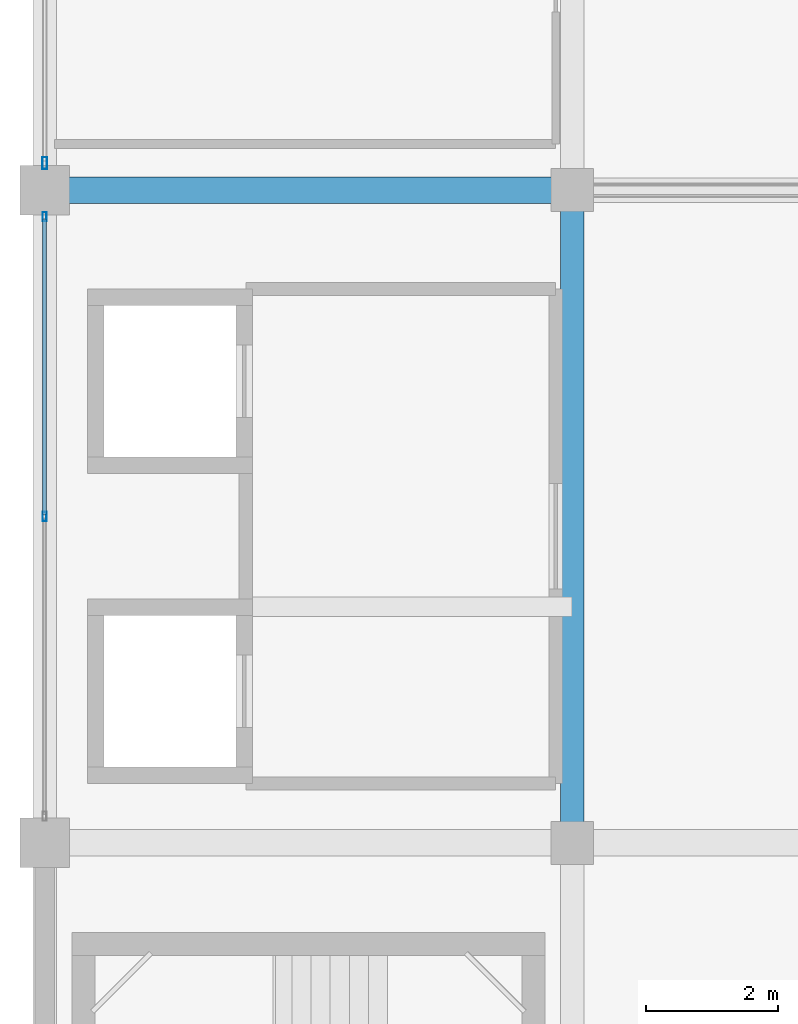
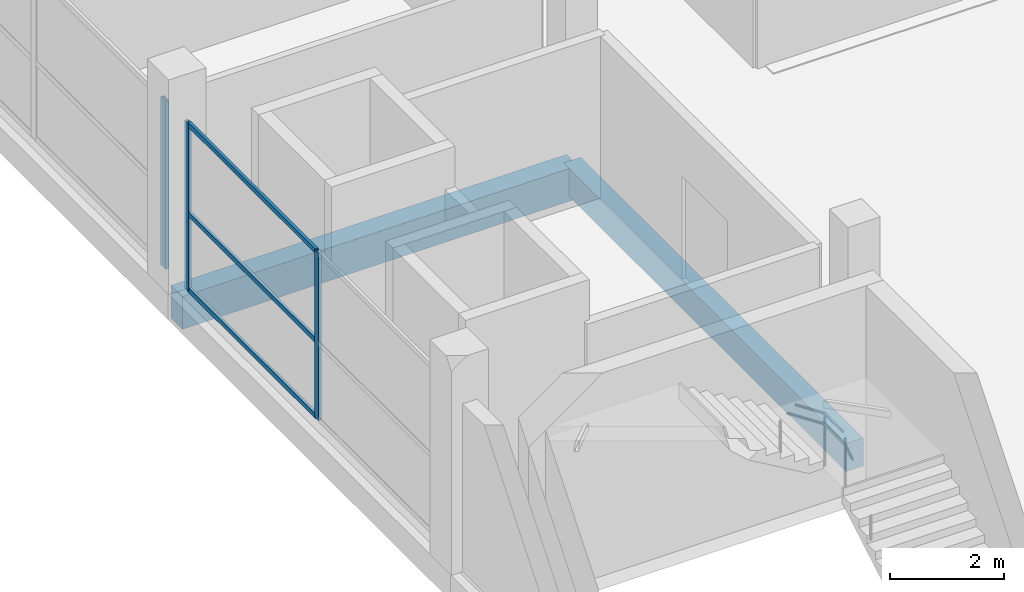
# One storey, part 8 of 69: 6 members, 2 beams, 2 elements without a shape of their own.
"""IFC4 building model written with IfcOpenShell, lengths in metres."""

import ifcopenshell
import ifcopenshell.guid

model = None  # the IFC model being written
_history = None  # IfcOwnerHistory: only IFC2X3 demands one
_inside = {}  # id of a spatial element -> (the spatial element, [elements in it])
_under = {}  # id of a project, library or spatial element -> (it, [spatial elements below it])
_declared = {}  # id of a project -> (the project, [libraries it declares])
_typed = {}  # id of a type object -> (the type object, [elements of that type])
_made_of = {}  # id of a material, layer set ... -> (it, [elements and type objects made of it])


def new_model(schema):
    """Start an empty IFC model of exactly this schema.

    Asked for "IFC4X3", IfcOpenShell would pick the latest addendum, in which some entities
    have other attributes; the version numbers below select the first issue.
    IFC2X3 requires an IfcOwnerHistory on every rooted entity: one is made here for all.
    """
    global model, _history
    if schema == "IFC4X3":
        model = ifcopenshell.file(schema_version=(4, 3, 0, 0))
    else:
        model = ifcopenshell.file(schema=schema)
    _inside.clear()
    _under.clear()
    _declared.clear()
    _typed.clear()
    _made_of.clear()
    _history = None
    if model.schema == "IFC2X3":
        org = make("IfcOrganization", Name="unknown")
        user = make(
            "IfcPersonAndOrganization",
            ThePerson=make("IfcPerson", FamilyName="unknown"),
            TheOrganization=org,
        )
        app = make(
            "IfcApplication",
            ApplicationDeveloper=org,
            Version="unknown",
            ApplicationFullName="unknown",
            ApplicationIdentifier="unknown",
        )
        _history = make(
            "IfcOwnerHistory",
            OwningUser=user,
            OwningApplication=app,
            ChangeAction="ADDED",
            CreationDate=0,
        )
    return model


def make(cls, **values):
    """One entity of the class cls with the attributes given. An attribute that is None is left unset."""
    return model.create_entity(
        cls, **{name: value for name, value in values.items() if value is not None}
    )


def rooted(cls, **values):
    """An entity with a GlobalId (a new one), such as an element, a storey or a relation."""
    return make(cls, GlobalId=ifcopenshell.guid.new(), OwnerHistory=_history, **values)


def si_unit(unit_type, name, prefix=None):
    """IfcSIUnit, for example si_unit("LENGTHUNIT", "METRE", prefix="MILLI")."""
    return make("IfcSIUnit", UnitType=unit_type, Prefix=prefix, Name=name)


def assignment(units):
    """IfcUnitAssignment: the units of a project."""
    return None if units is None else make("IfcUnitAssignment", Units=units)


def point(xyz):
    """IfcCartesianPoint."""
    return None if xyz is None else make("IfcCartesianPoint", Coordinates=xyz)


def direction(xyz):
    """IfcDirection."""
    return None if xyz is None else make("IfcDirection", DirectionRatios=xyz)


def frame(location, z_axis=None, x_axis=None):
    """IfcAxis2Placement3D, a coordinate frame: its origin and axes. An axis left out is left unset."""
    return make(
        "IfcAxis2Placement3D",
        Location=point(location),
        Axis=direction(z_axis),
        RefDirection=direction(x_axis),
    )


def frame_2d(location, x_axis=None):
    """IfcAxis2Placement2D, a coordinate frame in the plane: its origin and x axis."""
    return make(
        "IfcAxis2Placement2D", Location=point(location), RefDirection=direction(x_axis)
    )


def origin():
    """The frame at (0, 0, 0) with its axes left unset."""
    return frame((0.0, 0.0, 0.0))


def origin_2d():
    """The frame at (0, 0) in the plane with its x axis left unset."""
    return frame_2d((0.0, 0.0))


def place(relative_to, where):
    """IfcLocalPlacement: puts the frame where relative to a parent placement (None: the world)."""
    return make(
        "IfcLocalPlacement", PlacementRelTo=relative_to, RelativePlacement=where
    )


def context(
    kind, dimensions, precision=None, world=None, true_north=None, identifier=None
):
    """IfcGeometricRepresentationContext, for example the 3D "Model" context."""
    return make(
        "IfcGeometricRepresentationContext",
        ContextIdentifier=identifier,
        ContextType=kind,
        CoordinateSpaceDimension=dimensions,
        Precision=precision,
        WorldCoordinateSystem=world,
        TrueNorth=true_north,
    )


def subcontext(parent, identifier, kind, view, scale=None):
    """IfcGeometricRepresentationSubContext, for example "Body" below "Model"."""
    return make(
        "IfcGeometricRepresentationSubContext",
        ContextIdentifier=identifier,
        ContextType=kind,
        ParentContext=parent,
        TargetScale=scale,
        TargetView=view,
    )


def project(units=None, contexts=None):
    """IfcProject with its units and contexts."""
    return rooted(
        "IfcProject",
        Name="project",
        RepresentationContexts=contexts,
        UnitsInContext=assignment(units),
    )


def spatial(cls, under=None, at=None, **own):
    """A site, building, storey or space (cls), placed at a placement, below another one or the project."""
    s = rooted(cls, ObjectPlacement=at, **own)
    if under is not None:
        _under.setdefault(under.id(), (under, []))[1].append(s)
    return s


def profile(cls, at=None, kind="AREA", **sizes):
    """A parametric profile (cls). Its sizes go by their IFC names, for example OverallWidth=200.0."""
    return make(cls, ProfileType=kind, Position=at, **sizes)


def rectangle(**sizes):
    """IfcRectangleProfileDef."""
    return profile("IfcRectangleProfileDef", **sizes)


def hollow_rectangle(**sizes):
    """IfcRectangleHollowProfileDef."""
    return profile("IfcRectangleHollowProfileDef", **sizes)


def extrude(swept, where, along, depth):
    """IfcExtrudedAreaSolid: the profile swept, set in the frame where, extruded along a direction by depth."""
    return make(
        "IfcExtrudedAreaSolid",
        SweptArea=swept,
        Position=where,
        ExtrudedDirection=direction(along),
        Depth=depth,
    )


def shape(context_of_items, identifier, shape_type, items):
    """IfcShapeRepresentation: the items that make up one representation, for example the "Body"."""
    return make(
        "IfcShapeRepresentation",
        ContextOfItems=context_of_items,
        RepresentationIdentifier=identifier,
        RepresentationType=shape_type,
        Items=items,
    )


def material(Name=None, Category=None):
    """IfcMaterial."""
    return make("IfcMaterial", Name=Name, Category=Category)


def layer(
    of_material, thickness, ventilated=None, Name=None, Category=None, Priority=None
):
    """IfcMaterialLayer: one layer of a wall or slab, of a material (None: an air gap)."""
    return make(
        "IfcMaterialLayer",
        Material=of_material,
        LayerThickness=thickness,
        IsVentilated=ventilated,
        Name=Name,
        Category=Category,
        Priority=Priority,
    )


def layer_set(layers, Name=None):
    """IfcMaterialLayerSet."""
    return make("IfcMaterialLayerSet", MaterialLayers=layers, LayerSetName=Name)


def material_profile(
    of_material, cross_section, Name=None, Category=None, Priority=None
):
    """IfcMaterialProfile: a cross section and its material."""
    return make(
        "IfcMaterialProfile",
        Name=Name,
        Material=of_material,
        Profile=cross_section,
        Priority=Priority,
        Category=Category,
    )


def profile_set(profiles, Name=None, composite=None):
    """IfcMaterialProfileSet."""
    return make(
        "IfcMaterialProfileSet",
        Name=Name,
        MaterialProfiles=profiles,
        CompositeProfile=composite,
    )


def made_of(thing, what):
    """Note that an element or type object is made of a material, layer set ...; save() writes the relation."""
    if what is not None:
        _made_of.setdefault(what.id(), (what, []))[1].append(thing)
    return thing


def type_object(cls, material=None, **own):
    """A type object (cls), such as IfcWallType, which elements share."""
    return made_of(rooted(cls, **own), material)


def element(
    cls,
    number,
    at=None,
    inside=None,
    cuts=None,
    type_object=None,
    material=None,
    context=None,
    identifier="Body",
    shape_type=None,
    held_by="IfcProductDefinitionShape",
    body=None,
    shapes=None,
    **own,
):
    """One element of the class cls, such as IfcWall. Its Tag is "e" and its number.

    at: its placement. inside: the storey or other place that contains it. cuts: it is an
    opening in that element (IfcRelVoidsElement). A single representation is given by context,
    identifier, shape_type and body (its items); several are given by shapes. held_by: the class
    of the entity that holds the representations. save() writes the other relations.
    """
    e = rooted(cls, Tag="e%d" % number, ObjectPlacement=at, **own)
    if body is not None:
        shapes = [shape(context, identifier, shape_type, body)]
    if shapes is not None:
        e.Representation = make(held_by, Representations=shapes)
    if inside is not None:
        _inside.setdefault(inside.id(), (inside, []))[1].append(e)
    if cuts is not None:
        rooted(
            "IfcRelVoidsElement", RelatingBuildingElement=cuts, RelatedOpeningElement=e
        )
    if type_object is not None:
        _typed.setdefault(type_object.id(), (type_object, []))[1].append(e)
    return made_of(e, material)


def aggregate(whole, parts):
    """IfcRelAggregates: a whole, such as a stair, and the parts it consists of."""
    return rooted("IfcRelAggregates", RelatingObject=whole, RelatedObjects=parts)


def save(model, path):
    """Write the relations noted so far, then the file.

    IfcRelAggregates (storeys below a building ...), IfcRelContainedInSpatialStructure (elements
    in a storey), IfcRelDefinesByType, IfcRelAssociatesMaterial and IfcRelDeclares: one each for
    every whole, place, type object, material and project.
    """
    for whole, parts in _under.values():
        aggregate(whole, parts)
    for where, things in _inside.values():
        rooted(
            "IfcRelContainedInSpatialStructure",
            RelatedElements=things,
            RelatingStructure=where,
        )
    for kind, things in _typed.values():
        rooted("IfcRelDefinesByType", RelatedObjects=things, RelatingType=kind)
    for what, things in _made_of.values():
        rooted("IfcRelAssociatesMaterial", RelatedObjects=things, RelatingMaterial=what)
    for by, libraries in _declared.values():
        rooted("IfcRelDeclares", RelatingContext=by, RelatedDefinitions=libraries)
    model.write(path)


model = new_model("IFC4")

# Units and contexts
model_context = context("Model", 3, precision=1e-05, world=origin(), true_north=direction((0.0, 1.0)))
body_context = subcontext(model_context, "Body", "Model", "MODEL_VIEW")
ifc_project = project(units=[si_unit("LENGTHUNIT", "METRE"), si_unit("AREAUNIT", "SQUARE_METRE"), si_unit("VOLUMEUNIT", "CUBIC_METRE"), si_unit("PLANEANGLEUNIT", "RADIAN"), si_unit("MASSUNIT", "GRAM", prefix="KILO")], contexts=[model_context])

# Site, building, storey
site_placement = place(None, origin())
site = spatial("IfcSite", under=ifc_project, at=site_placement, CompositionType="ELEMENT")
building_placement = place(site_placement, origin())
building = spatial("IfcBuilding", under=site, at=building_placement, Name="Sillaruma Civic Art Gallery", CompositionType="ELEMENT")
storey_placement = place(building_placement, frame((0.0, 0.0, 42.330078125)))
storey = spatial("IfcBuildingStorey", under=building, at=storey_placement, Name="L08", CompositionType="ELEMENT", Elevation=42.330078125)

# Beams
ifc_material_1 = material(Name="Concrete H35 (35 MPa)", Category="concrete")
ifc_material_profile_1 = material_profile(ifc_material_1, rectangle(XDim=0.35009765625, YDim=0.60009765625, at=origin_2d()), Name="RCB350x600")
ifc_profile_set_1 = profile_set([ifc_material_profile_1], Name="Concrete H35 (35 MPa)")
beam_type_1 = type_object("IfcBeamType", Name="BM-BEAM-RCB350x600", PredefinedType="BEAM", material=ifc_profile_set_1)
beam_1_placement = place(storey_placement, frame((70.0, 39.60009765625, -0.580078125), z_axis=(0.0, 1.0, 0.0), x_axis=(-1.0, 0.0, 0.0)))
element("IfcBeam", 1, at=beam_1_placement, inside=storey, type_object=beam_type_1, Name="Beam BM-06 (L07:G:5-6)", PredefinedType="BEAM", context=body_context, shape_type="SweptSolid", body=[
    extrude(rectangle(XDim=0.35009765625, YDim=0.60009765625, at=origin_2d()), origin(), (0.0, 0.0, 1.0), 9.89990234375),
])
ifc_material_profile_2 = material_profile(ifc_material_1, rectangle(XDim=0.39990234375, YDim=0.699951171875, at=origin_2d()), Name="RCB400x700")
ifc_profile_set_2 = profile_set([ifc_material_profile_2], Name="Concrete H35 (35 MPa)")
beam_type_2 = type_object("IfcBeamType", Name="BM-BEAM-RCB400x700", PredefinedType="BEAM", material=ifc_profile_set_2)
beam_2_placement = place(storey_placement, frame((62.0, 49.5, -0.630126953125), z_axis=(1.0, 0.0, 0.0), x_axis=(0.0, 1.0, 0.0)))
element("IfcBeam", 2, at=beam_2_placement, inside=storey, type_object=beam_type_2, Name="Beam BM-04 (L07:6:F-G)", PredefinedType="BEAM", context=body_context, shape_type="SweptSolid", body=[
    extrude(rectangle(XDim=0.39990234375, YDim=0.699951171875, at=origin_2d()), origin(), (0.0, 0.0, 1.0), 8.0),
])

# Curtain wall, members
ifc_material_2 = material(Name="Thermally Broken Extruded Aluminium 6063-T6", Category="aluminium")
ifc_layer_1 = layer(ifc_material_2, 0.139892578125, Name="Thermally Broken Extruded Aluminium 6063-T6")
ifc_layer_set_1 = layer_set([ifc_layer_1], Name="Thermally Broken Extruded Aluminium 6063-T6")
curtain_wall_type_1 = type_object("IfcCurtainWallType", Name="CW-UNI-54", PredefinedType="NOTDEFINED", material=ifc_layer_set_1)
curtain_wall_1_placement = place(storey_placement, origin())
curtain_wall_1 = element("IfcCurtainWall", 3, at=curtain_wall_1_placement, inside=storey, type_object=curtain_wall_type_1, Name="Unitised Curtain Wall CW-54 (CW-L08-WBW-3)", PredefinedType="NOTDEFINED")
ifc_material_profile_3 = material_profile(ifc_material_2, hollow_rectangle(XDim=0.06005859375, YDim=0.139892578125, WallThickness=0.00341796875, at=origin_2d()), Name="CWM60x140")
ifc_profile_set_3 = profile_set([ifc_material_profile_3], Name="Thermally Broken Extruded Aluminium 6063-T6")
member_type_1 = type_object("IfcMemberType", Name="MEM-MUL-CWM60x140", PredefinedType="MULLION", material=ifc_profile_set_3)
member_1_placement = place(storey_placement, frame((62.0, 44.550048828125, 0.0), z_axis=(0.0, 0.0, 1.0), x_axis=(-1.0, 0.0, 0.0)))
member_1 = element("IfcMember", 4, at=member_1_placement, type_object=member_type_1, Name="CW-54 mullion 2", PredefinedType="MULLION", context=body_context, shape_type="SweptSolid", body=[
    extrude(hollow_rectangle(XDim=0.06005859375, YDim=0.139892578125, WallThickness=0.00341796875, at=origin_2d()), origin(), (0.0, 0.0, 1.0), 3.58984375),
])
member_2_placement = place(storey_placement, frame((62.0, 49.094970703125, 0.0), z_axis=(0.0, 0.0, 1.0), x_axis=(-1.0, 0.0, 0.0)))
member_2 = element("IfcMember", 5, at=member_2_placement, type_object=member_type_1, Name="CW-54 mullion 3", PredefinedType="MULLION", context=body_context, shape_type="SweptSolid", body=[
    extrude(hollow_rectangle(XDim=0.06005859375, YDim=0.139892578125, WallThickness=0.00341796875, at=origin_2d()), origin(), (0.0, 0.0, 1.0), 3.58984375),
])

# Curtain wall, member
ifc_layer_2 = layer(ifc_material_2, 0.179931640625, Name="Thermally Broken Extruded Aluminium 6063-T6")
ifc_layer_set_2 = layer_set([ifc_layer_2], Name="Thermally Broken Extruded Aluminium 6063-T6")
curtain_wall_type_2 = type_object("IfcCurtainWallType", Name="CW-UNI-55", PredefinedType="NOTDEFINED", material=ifc_layer_set_2)
curtain_wall_2_placement = place(storey_placement, origin())
curtain_wall_2 = element("IfcCurtainWall", 6, at=curtain_wall_2_placement, inside=storey, type_object=curtain_wall_type_2, Name="Unitised Curtain Wall CW-55 (CW-L08-WBW-4)", PredefinedType="NOTDEFINED")
ifc_material_profile_4 = material_profile(ifc_material_2, hollow_rectangle(XDim=0.070068359375, YDim=0.179931640625, WallThickness=0.00390625, at=origin_2d()), Name="CWM70x180")
ifc_profile_set_4 = profile_set([ifc_material_profile_4], Name="Thermally Broken Extruded Aluminium 6063-T6")
member_type_2 = type_object("IfcMemberType", Name="MEM-MUL-CWM70x180", PredefinedType="MULLION", material=ifc_profile_set_4)
member_3_placement = place(storey_placement, frame((62.0, 49.909912109375, 0.0), z_axis=(0.0, 0.0, 1.0), x_axis=(-1.0, 0.0, 0.0)))
member_3 = element("IfcMember", 7, at=member_3_placement, type_object=member_type_2, Name="CW-55 mullion 1", PredefinedType="MULLION", context=body_context, shape_type="SweptSolid", body=[
    extrude(hollow_rectangle(XDim=0.070068359375, YDim=0.179931640625, WallThickness=0.00390625, at=origin_2d()), origin(), (0.0, 0.0, 1.0), 3.58984375),
])
aggregate(curtain_wall_2, [member_3])

# Member
ifc_material_profile_5 = material_profile(ifc_material_2, hollow_rectangle(XDim=0.06005859375, YDim=0.10009765625, WallThickness=0.003173828125, at=origin_2d()), Name="CWT60x100")
ifc_profile_set_5 = profile_set([ifc_material_profile_5], Name="Thermally Broken Extruded Aluminium 6063-T6")
member_type_3 = type_object("IfcMemberType", Name="MEM-TRN-CWT60x100", PredefinedType="USERDEFINED", material=ifc_profile_set_5)
member_4_placement = place(storey_placement, frame((62.0, 44.580078125, 0.030029296875), z_axis=(0.0, 1.0, 0.0), x_axis=(-1.0, 0.0, 0.0)))
member_4 = element("IfcMember", 8, at=member_4_placement, type_object=member_type_3, Name="CW-54 transom 2.1", ObjectType="TRANSOM", PredefinedType="USERDEFINED", context=body_context, shape_type="SweptSolid", body=[
    extrude(hollow_rectangle(XDim=0.06005859375, YDim=0.10009765625, WallThickness=0.003173828125, at=origin_2d()), origin(), (0.0, 0.0, 1.0), 4.48486328125),
])

member_5_placement = place(storey_placement, frame((62.0, 44.580078125, 1.6513671875), z_axis=(0.0, 1.0, 0.0), x_axis=(-1.0, 0.0, 0.0)))
member_5 = element("IfcMember", 9, at=member_5_placement, type_object=member_type_3, Name="CW-54 transom 2.2", ObjectType="TRANSOM", PredefinedType="USERDEFINED", context=body_context, shape_type="SweptSolid", body=[
    extrude(hollow_rectangle(XDim=0.06005859375, YDim=0.10009765625, WallThickness=0.003173828125, at=origin_2d()), origin(), (0.0, 0.0, 1.0), 4.48486328125),
])

member_6_placement = place(storey_placement, frame((62.0, 44.580078125, 3.559814453125), z_axis=(0.0, 1.0, 0.0), x_axis=(-1.0, 0.0, 0.0)))
member_6 = element("IfcMember", 10, at=member_6_placement, type_object=member_type_3, Name="CW-54 transom 2.3", ObjectType="TRANSOM", PredefinedType="USERDEFINED", context=body_context, shape_type="SweptSolid", body=[
    extrude(hollow_rectangle(XDim=0.06005859375, YDim=0.10009765625, WallThickness=0.003173828125, at=origin_2d()), origin(), (0.0, 0.0, 1.0), 4.48486328125),
])

aggregate(curtain_wall_1, [member_1, member_2, member_4, member_5, member_6])

save(model, "model.ifc")
